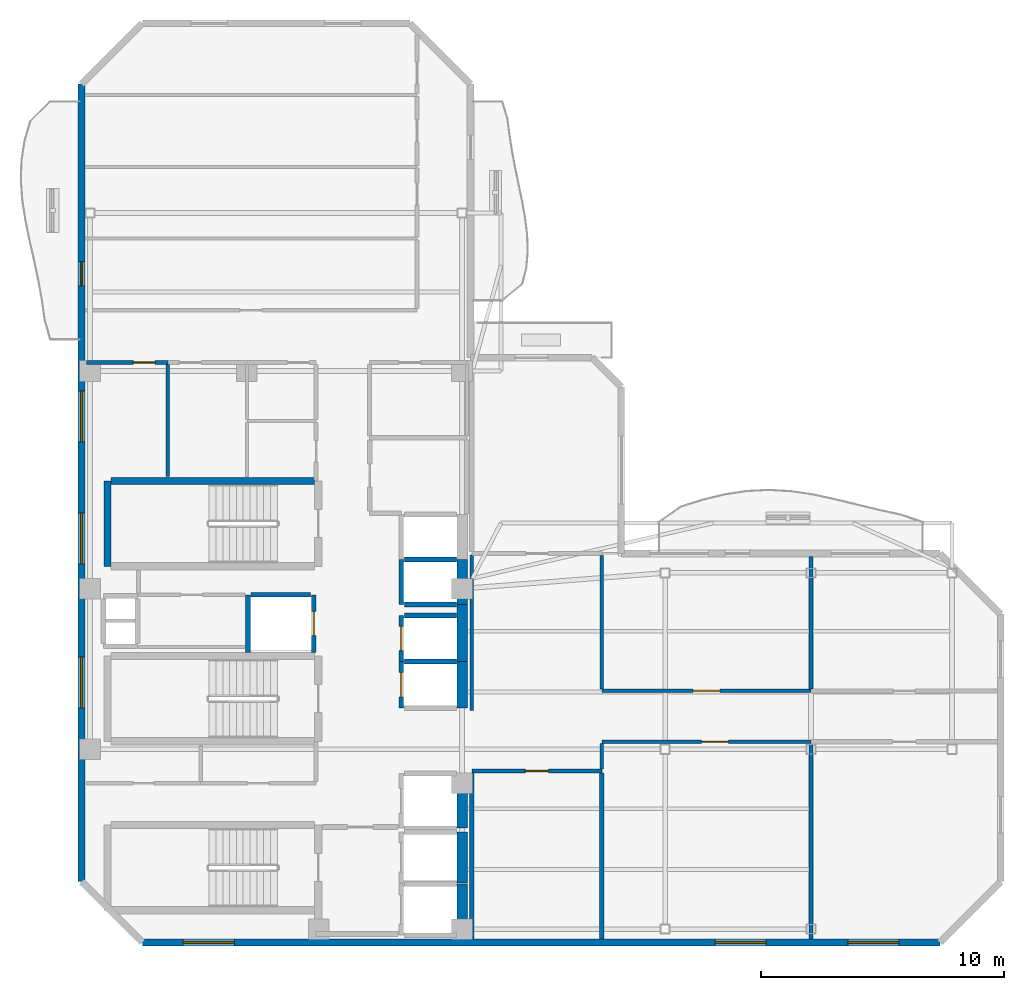
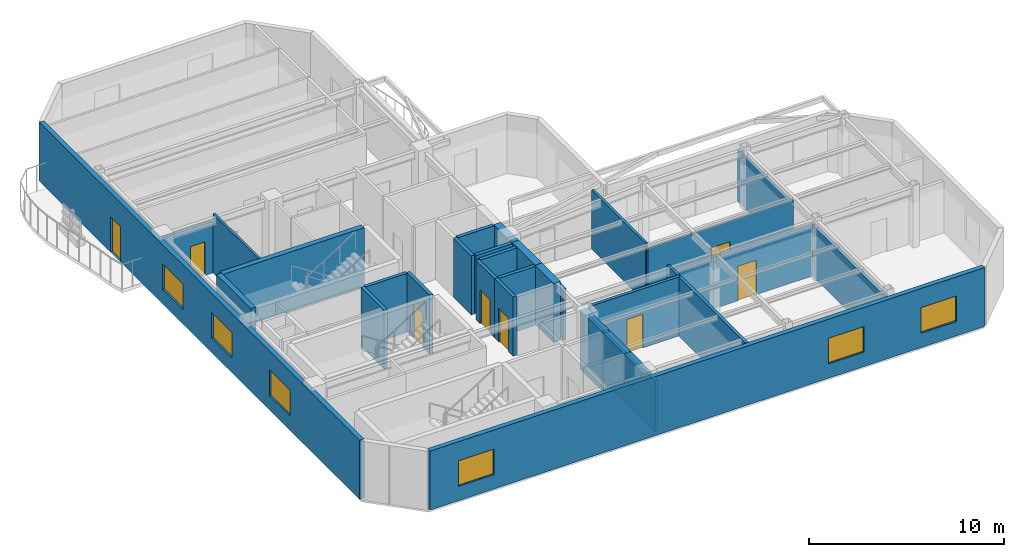
# One storey, part 3 of 8: 32 walls, 8 doors, 6 windows, 14 openings.
"""IFC4 building model written with IfcOpenShell, lengths in metres."""

from ifc_helpers import new_model, si_unit, direction, frame, frame_2d, origin, place, context, subcontext, project, spatial, rectangle, extrude, material, layer, layer_set, type_object, element, fill, save


model = new_model("IFC4")

# Units and contexts
model_context = context("Model", 3, precision=1e-05, world=origin(), true_north=direction((0.0, 1.0)))
body_context = subcontext(model_context, "Body", "Model", "MODEL_VIEW")
ifc_project = project(units=[si_unit("LENGTHUNIT", "METRE"), si_unit("AREAUNIT", "SQUARE_METRE"), si_unit("VOLUMEUNIT", "CUBIC_METRE"), si_unit("PLANEANGLEUNIT", "RADIAN"), si_unit("MASSUNIT", "GRAM", prefix="KILO")], contexts=[model_context])

# Site, building, storey
site_placement = place(None, origin())
site = spatial("IfcSite", under=ifc_project, at=site_placement, CompositionType="ELEMENT")
building_placement = place(site_placement, origin())
building = spatial("IfcBuilding", under=site, at=building_placement, Name="Mawjaban Terraces University", CompositionType="ELEMENT")
storey_placement = place(building_placement, frame((0.0, 0.0, 259.89990234375)))
storey = spatial("IfcBuildingStorey", under=building, at=storey_placement, Name="L63", CompositionType="ELEMENT", Elevation=259.89990234375)

# Wall, opening, door
ifc_material_1 = material(Name="Acoustic masonry blockwork", Category="masonry")
ifc_layer_1 = layer(ifc_material_1, 0.179931640625)
ifc_layer_set_1 = layer_set([ifc_layer_1], Name="Acoustic masonry blockwork")
wall_type_1 = type_object("IfcWallType", Name="AcousticStudioWall_180", PredefinedType="PARTITIONING", material=ifc_layer_set_1)
wall_1_placement = place(storey_placement, frame((38.050048828125, 7.050048828125, 0.0), z_axis=(0.0, 0.0, 1.0), x_axis=(1.0, 0.0, 0.0)))
wall_1 = element("IfcWall", 1, at=wall_1_placement, inside=storey, type_object=wall_type_1, Name="L63 Upper Research Hub Concourse Partition 18", PredefinedType="PARTITIONING", context=body_context, shape_type="SweptSolid", body=[
    extrude(rectangle(XDim=5.349853515625, YDim=0.179931640625, at=frame_2d((2.6748046875, 0.0))), origin(), (0.0, 0.0, 1.0), 3.690185546875),
])
opening_1_placement = place(wall_1_placement, frame((2.199951171875, 0.0, 0.0)))
opening_1 = element("IfcOpeningElement", 2, at=opening_1_placement, cuts=wall_1, Name="Opening ID-095", PredefinedType="OPENING", context=body_context, shape_type="SweptSolid", body=[
    extrude(rectangle(XDim=0.949951171875, YDim=2.10009765625, at=frame_2d((0.47509765625, 1.050048828125))), frame((0.0, 0.099853515625, 0.0), z_axis=(0.0, -1.0, 0.0), x_axis=(1.0, 0.0, 0.0)), (0.0, 0.0, 1.0), 0.199951171875),
])
ifc_material_2 = material(Name="Powder-coated steel frame and solid acoustic timber leaf", Category="steel")
door_type_1 = type_object("IfcDoorType", Name="StudioDoor_950x2100", OperationType="NOTDEFINED", PredefinedType="DOOR", material=ifc_material_2)
door_1_placement = place(opening_1_placement, origin())
door_1 = element("IfcDoor", 3, at=door_1_placement, inside=storey, type_object=door_type_1, Name="L63 Design Studio 1 Door", OperationType="SINGLE_SWING_RIGHT", OverallHeight=2.10009765625, OverallWidth=0.949951171875, PredefinedType="DOOR", context=body_context, shape_type="SweptSolid", body=[
    extrude(rectangle(XDim=0.949951171875, YDim=2.10009765625, at=frame_2d((0.47509765625, 1.050048828125))), frame((0.0, 0.02490234375, 0.0), z_axis=(0.0, -1.0, 0.0), x_axis=(1.0, 0.0, 0.0)), (0.0, 0.0, 1.0), 0.050048828125),
])
fill(opening_1, door_1)

# Walls
wall_2_placement = place(storey_placement, frame((38.050048828125, 6.965087890625, 0.0), z_axis=(0.0, 0.0, 1.0), x_axis=(0.0, -1.0, 0.0)))
element("IfcWall", 4, at=wall_2_placement, inside=storey, type_object=wall_type_1, Name="L63 Design Studio 1 Partition 40", PredefinedType="PARTITIONING", context=body_context, shape_type="SweptSolid", body=[
    extrude(rectangle(XDim=6.83203125, YDim=0.179931640625, at=frame_2d((3.416015625, 0.0))), origin(), (0.0, 0.0, 1.0), 3.22705078125),
])
wall_3_placement = place(storey_placement, frame((43.39990234375, 0.133056640625, 0.0), z_axis=(0.0, 0.0, 1.0), x_axis=(0.0, 1.0, 0.0)))
element("IfcWall", 5, at=wall_3_placement, inside=storey, type_object=wall_type_1, Name="L63 Design Studio 1 Partition 43", PredefinedType="PARTITIONING", context=body_context, shape_type="SweptSolid", body=[
    extrude(rectangle(XDim=6.83203125, YDim=0.179931640625, at=frame_2d((3.416015625, 0.0))), origin(), (0.0, 0.0, 1.0), 3.690185546875),
])
wall_4_placement = place(storey_placement, frame((52.0, 0.133056640625, 0.0), z_axis=(0.0, 0.0, 1.0), x_axis=(0.0, 1.0, 0.0)))
element("IfcWall", 6, at=wall_4_placement, inside=storey, type_object=wall_type_1, Name="L63 Computational Laboratory 2 Partition 46", PredefinedType="PARTITIONING", context=body_context, shape_type="SweptSolid", body=[
    extrude(rectangle(XDim=8.031982421875, YDim=0.179931640625, at=frame_2d((4.01611328125, 0.0))), origin(), (0.0, 0.0, 1.0), 3.22705078125),
])
ifc_material_3 = material(Name="Concrete C50/60", Category="concrete")
ifc_layer_2 = layer(ifc_material_3, 0.419921875)
ifc_layer_set_2 = layer_set([ifc_layer_2], Name="Concrete C50/60")
wall_type_2 = type_object("IfcWallType", Name="CoreShearWall_420", PredefinedType="SHEAR", material=ifc_layer_set_2)
wall_5_placement = place(storey_placement, frame((37.659912109375, 0.300048828125, 0.0), z_axis=(0.0, 0.0, 1.0), x_axis=(0.0, 1.0, 0.0)))
element("IfcWall", 7, at=wall_5_placement, inside=storey, type_object=wall_type_2, Name="L63 Lift FL-1 Hoistway Wall East", PredefinedType="SHEAR", context=body_context, shape_type="SweptSolid", body=[
    extrude(rectangle(XDim=2.099853515625, YDim=0.419921875, at=frame_2d((1.0498046875, 0.0))), origin(), (0.0, 0.0, 1.0), 3.690185546875),
])
wall_6_placement = place(storey_placement, frame((37.659912109375, 2.449951171875, 0.0), z_axis=(0.0, 0.0, 1.0), x_axis=(0.0, 1.0, 0.0)))
element("IfcWall", 8, at=wall_6_placement, inside=storey, type_object=wall_type_2, Name="L63 Lift FL-2 Hoistway Wall East", PredefinedType="SHEAR", context=body_context, shape_type="SweptSolid", body=[
    extrude(rectangle(XDim=2.10009765625, YDim=0.419921875, at=frame_2d((1.050048828125, 0.0))), origin(), (0.0, 0.0, 1.0), 3.690185546875),
])
wall_7_placement = place(storey_placement, frame((37.659912109375, 4.699951171875, 0.0), z_axis=(0.0, 0.0, 1.0), x_axis=(0.0, 1.0, 0.0)))
element("IfcWall", 9, at=wall_7_placement, inside=storey, type_object=wall_type_2, Name="L63 Lift SL-1 Hoistway Wall East", PredefinedType="SHEAR", context=body_context, shape_type="SweptSolid", body=[
    extrude(rectangle(XDim=2.25, YDim=0.419921875, at=frame_2d((1.125, 0.0))), origin(), (0.0, 0.0, 1.0), 3.690185546875),
])
wall_8_placement = place(storey_placement, frame((37.659912109375, 9.64990234375, 0.0), z_axis=(0.0, 0.0, 1.0), x_axis=(0.0, 1.0, 0.0)))
element("IfcWall", 10, at=wall_8_placement, inside=storey, type_object=wall_type_2, Name="L63 Lift PL-H1 Hoistway Wall East", PredefinedType="SHEAR", context=body_context, shape_type="SweptSolid", body=[
    extrude(rectangle(XDim=1.900146484375, YDim=0.419921875, at=frame_2d((0.9501953125, 0.0))), origin(), (0.0, 0.0, 1.0), 3.690185546875),
])
wall_9_placement = place(storey_placement, frame((37.659912109375, 11.550048828125, 0.0), z_axis=(0.0, 0.0, 1.0), x_axis=(0.0, 1.0, 0.0)))
element("IfcWall", 11, at=wall_9_placement, inside=storey, type_object=wall_type_2, Name="L63 Lift PL-H2 Hoistway Wall East", PredefinedType="SHEAR", context=body_context, shape_type="SweptSolid", body=[
    extrude(rectangle(XDim=2.349853515625, YDim=0.419921875, at=frame_2d((1.1748046875, 0.0))), origin(), (0.0, 0.0, 1.0), 3.690185546875),
])
wall_10_placement = place(storey_placement, frame((37.659912109375, 13.89990234375, 0.0), z_axis=(0.0, 0.0, 1.0), x_axis=(0.0, 1.0, 0.0)))
element("IfcWall", 12, at=wall_10_placement, inside=storey, type_object=wall_type_2, Name="L63 Lift OL-1 Hoistway Wall East", PredefinedType="SHEAR", context=body_context, shape_type="SweptSolid", body=[
    extrude(rectangle(XDim=1.85009765625, YDim=0.419921875, at=frame_2d((0.925048828125, 0.0))), origin(), (0.0, 0.0, 1.0), 3.690185546875),
])

# Wall, opening, door
ifc_material_4 = material(Name="Fire-rated gypsum board on steel stud", Category="steel")
ifc_layer_3 = layer(ifc_material_4, 0.159912109375)
ifc_layer_set_3 = layer_set([ifc_layer_3], Name="Fire-rated gypsum board on steel stud")
wall_type_3 = type_object("IfcWallType", Name="CorridorPartition_160", PredefinedType="PARTITIONING", material=ifc_layer_set_3)
wall_11_placement = place(storey_placement, frame((25.550048828125, 23.85009765625, 0.0), z_axis=(0.0, 0.0, 1.0), x_axis=(-1.0, 0.0, 0.0)))
wall_11 = element("IfcWall", 13, at=wall_11_placement, inside=storey, type_object=wall_type_3, Name="L63 Female Toilet Partition 3", PredefinedType="PARTITIONING", context=body_context, shape_type="SweptSolid", body=[
    extrude(rectangle(XDim=3.35009765625, YDim=0.159912109375, at=frame_2d((1.675048828125, 0.0))), origin(), (0.0, 0.0, 1.0), 3.22705078125),
])
opening_2_placement = place(wall_11_placement, frame((0.534912109375, 0.0, 0.0)))
opening_2 = element("IfcOpeningElement", 14, at=opening_2_placement, cuts=wall_11, Name="Opening ID-088", PredefinedType="OPENING", context=body_context, shape_type="SweptSolid", body=[
    extrude(rectangle(XDim=0.8798828125, YDim=2.10009765625, at=frame_2d((0.43994140625, 1.050048828125))), frame((0.0, 0.08984375, 0.0), z_axis=(0.0, -1.0, 0.0), x_axis=(1.0, 0.0, 0.0)), (0.0, 0.0, 1.0), 0.179931640625),
])
door_type_2 = type_object("IfcDoorType", Name="ToiletDoor_880x2100", OperationType="NOTDEFINED", PredefinedType="DOOR", material=ifc_material_2)
door_2_placement = place(opening_2_placement, origin())
door_2 = element("IfcDoor", 15, at=door_2_placement, inside=storey, type_object=door_type_2, Name="L63 Female Toilet Door", OperationType="SINGLE_SWING_RIGHT", OverallHeight=2.10009765625, OverallWidth=0.8798828125, PredefinedType="DOOR", context=body_context, shape_type="SweptSolid", body=[
    extrude(rectangle(XDim=0.8798828125, YDim=2.10009765625, at=frame_2d((0.43994140625, 1.050048828125))), frame((0.0, 0.02490234375, 0.0), z_axis=(0.0, -1.0, 0.0), x_axis=(1.0, 0.0, 0.0)), (0.0, 0.0, 1.0), 0.050048828125),
])
fill(opening_2, door_2)

# Wall
wall_12_placement = place(storey_placement, frame((38.050048828125, 15.925048828125, 0.0), z_axis=(0.0, 0.0, 1.0), x_axis=(0.0, -1.0, 0.0)))
element("IfcWall", 16, at=wall_12_placement, inside=storey, type_object=wall_type_3, Name="L63 Upper Research Hub Concourse Partition 41", PredefinedType="PARTITIONING", context=body_context, shape_type="SweptSolid", body=[
    extrude(rectangle(XDim=6.375, YDim=0.159912109375, at=frame_2d((3.1875, 0.0))), origin(), (0.0, 0.0, 1.0), 3.22705078125),
])

# Wall, openings, windows
ifc_material_5 = material(Name="Insulated terracotta rainscreen on concrete backup C40/50", Category="masonry")
ifc_layer_4 = layer(ifc_material_5, 0.27490234375)
ifc_layer_set_4 = layer_set([ifc_layer_4], Name="Insulated terracotta rainscreen on concrete backup C40/50")
wall_type_4 = type_object("IfcWallType", Name="ExtTerracottaWall_275", PredefinedType="SOLIDWALL", material=ifc_layer_set_4)
wall_13_placement = place(storey_placement, frame((24.5, 0.0, 0.0), z_axis=(0.0, 0.0, 1.0), x_axis=(1.0, 0.0, 0.0)))
wall_13 = element("IfcWall", 17, at=wall_13_placement, inside=storey, type_object=wall_type_4, Name="L63 Exterior Terracotta Wall 1", PredefinedType="SOLIDWALL", context=body_context, shape_type="SweptSolid", body=[
    extrude(rectangle(XDim=32.800048828125, YDim=0.27490234375, at=frame_2d((16.39990234375, 0.0))), origin(), (0.0, 0.0, 1.0), 3.690185546875),
])
opening_3_placement = place(wall_13_placement, frame((1.68310546875, 0.0, 0.89990234375)))
opening_3 = element("IfcOpeningElement", 18, at=opening_3_placement, cuts=wall_13, Name="Opening W-04", PredefinedType="OPENING", context=body_context, shape_type="SweptSolid", body=[
    extrude(rectangle(XDim=2.10009765625, YDim=1.60009765625, at=frame_2d((1.050048828125, 0.800048828125))), frame((0.0, 0.1474609375, 0.0), z_axis=(0.0, -1.0, 0.0), x_axis=(1.0, 0.0, 0.0)), (0.0, 0.0, 1.0), 0.294921875),
])
opening_4_placement = place(wall_13_placement, frame((23.550048828125, 0.0, 0.89990234375)))
opening_4 = element("IfcOpeningElement", 19, at=opening_4_placement, cuts=wall_13, Name="Opening W-04", PredefinedType="OPENING", context=body_context, shape_type="SweptSolid", body=[
    extrude(rectangle(XDim=2.10009765625, YDim=1.60009765625, at=frame_2d((1.050048828125, 0.800048828125))), frame((0.0, 0.1474609375, 0.0), z_axis=(0.0, -1.0, 0.0), x_axis=(1.0, 0.0, 0.0)), (0.0, 0.0, 1.0), 0.294921875),
])
opening_5_placement = place(wall_13_placement, frame((29.01708984375, 0.0, 0.89990234375)))
opening_5 = element("IfcOpeningElement", 20, at=opening_5_placement, cuts=wall_13, Name="Opening W-04", PredefinedType="OPENING", context=body_context, shape_type="SweptSolid", body=[
    extrude(rectangle(XDim=2.10009765625, YDim=1.60009765625, at=frame_2d((1.050048828125, 0.800048828125))), frame((0.0, 0.1474609375, 0.0), z_axis=(0.0, -1.0, 0.0), x_axis=(1.0, 0.0, 0.0)), (0.0, 0.0, 1.0), 0.294921875),
])
ifc_material_6 = material(Name="Low-E solar-control double glazing in thermally broken aluminium frame", Category="aluminium")
window_type = type_object("IfcWindowType", Name="Win_2100x1600", PartitioningType="SINGLE_PANEL", PredefinedType="WINDOW", material=ifc_material_6)
window_1_placement = place(opening_3_placement, origin())
window_1 = element("IfcWindow", 21, at=window_1_placement, inside=storey, type_object=window_type, Name="L63 Facade Window 1.1", OverallHeight=1.60009765625, OverallWidth=2.10009765625, PartitioningType="SINGLE_PANEL", PredefinedType="WINDOW", context=body_context, shape_type="SweptSolid", body=[
    extrude(rectangle(XDim=2.10009765625, YDim=1.60009765625, at=frame_2d((1.050048828125, 0.800048828125))), frame((0.0, 0.030029296875, 0.0), z_axis=(0.0, -1.0, 0.0), x_axis=(1.0, 0.0, 0.0)), (0.0, 0.0, 1.0), 0.06005859375),
])
fill(opening_3, window_1)
window_2_placement = place(opening_4_placement, origin())
window_2 = element("IfcWindow", 22, at=window_2_placement, inside=storey, type_object=window_type, Name="L63 Facade Window 1.5", OverallHeight=1.60009765625, OverallWidth=2.10009765625, PartitioningType="SINGLE_PANEL", PredefinedType="WINDOW", context=body_context, shape_type="SweptSolid", body=[
    extrude(rectangle(XDim=2.10009765625, YDim=1.60009765625, at=frame_2d((1.050048828125, 0.800048828125))), frame((0.0, 0.030029296875, 0.0), z_axis=(0.0, -1.0, 0.0), x_axis=(1.0, 0.0, 0.0)), (0.0, 0.0, 1.0), 0.06005859375),
])
fill(opening_4, window_2)
window_3_placement = place(opening_5_placement, origin())
window_3 = element("IfcWindow", 23, at=window_3_placement, inside=storey, type_object=window_type, Name="L63 Facade Window 1.6", OverallHeight=1.60009765625, OverallWidth=2.10009765625, PartitioningType="SINGLE_PANEL", PredefinedType="WINDOW", context=body_context, shape_type="SweptSolid", body=[
    extrude(rectangle(XDim=2.10009765625, YDim=1.60009765625, at=frame_2d((1.050048828125, 0.800048828125))), frame((0.0, 0.030029296875, 0.0), z_axis=(0.0, -1.0, 0.0), x_axis=(1.0, 0.0, 0.0)), (0.0, 0.0, 1.0), 0.06005859375),
])
fill(opening_5, window_3)

# Wall, openings, door, windows
wall_14_placement = place(storey_placement, frame((22.0, 35.300048828125, 0.0), z_axis=(0.0, 0.0, 1.0), x_axis=(0.0, -1.0, 0.0)))
wall_14 = element("IfcWall", 24, at=wall_14_placement, inside=storey, type_object=wall_type_4, Name="L63 Exterior Terracotta Wall 13", PredefinedType="SOLIDWALL", context=body_context, shape_type="SweptSolid", body=[
    extrude(rectangle(XDim=32.800048828125, YDim=0.27490234375, at=frame_2d((16.39990234375, 0.0))), origin(), (0.0, 0.0, 1.0), 3.690185546875),
])
opening_6_placement = place(wall_14_placement, frame((7.300048828125, 0.0, 0.0)))
opening_6 = element("IfcOpeningElement", 25, at=opening_6_placement, cuts=wall_14, Name="Opening BD-100", PredefinedType="OPENING", context=body_context, shape_type="SweptSolid", body=[
    extrude(rectangle(XDim=1.0, YDim=2.199951171875, at=frame_2d((0.5, 1.10009765625))), frame((0.0, 0.1474609375, 0.0), z_axis=(0.0, -1.0, 0.0), x_axis=(1.0, 0.0, 0.0)), (0.0, 0.0, 1.0), 0.294921875),
])
opening_7_placement = place(wall_14_placement, frame((12.616943359375, 0.0, 0.89990234375)))
opening_7 = element("IfcOpeningElement", 26, at=opening_7_placement, cuts=wall_14, Name="Opening W-04", PredefinedType="OPENING", context=body_context, shape_type="SweptSolid", body=[
    extrude(rectangle(XDim=2.10009765625, YDim=1.60009765625, at=frame_2d((1.050048828125, 0.800048828125))), frame((0.0, 0.1474609375, 0.0), z_axis=(0.0, -1.0, 0.0), x_axis=(1.0, 0.0, 0.0)), (0.0, 0.0, 1.0), 0.294921875),
])
opening_8_placement = place(wall_14_placement, frame((17.633056640625, 0.0, 0.89990234375)))
opening_8 = element("IfcOpeningElement", 27, at=opening_8_placement, cuts=wall_14, Name="Opening W-04", PredefinedType="OPENING", context=body_context, shape_type="SweptSolid", body=[
    extrude(rectangle(XDim=2.10009765625, YDim=1.60009765625, at=frame_2d((1.050048828125, 0.800048828125))), frame((0.0, 0.1474609375, 0.0), z_axis=(0.0, -1.0, 0.0), x_axis=(1.0, 0.0, 0.0)), (0.0, 0.0, 1.0), 0.294921875),
])
opening_9_placement = place(wall_14_placement, frame((23.550048828125, 0.0, 0.89990234375)))
opening_9 = element("IfcOpeningElement", 28, at=opening_9_placement, cuts=wall_14, Name="Opening W-04", PredefinedType="OPENING", context=body_context, shape_type="SweptSolid", body=[
    extrude(rectangle(XDim=2.10009765625, YDim=1.60009765625, at=frame_2d((1.050048828125, 0.800048828125))), frame((0.0, 0.1474609375, 0.0), z_axis=(0.0, -1.0, 0.0), x_axis=(1.0, 0.0, 0.0)), (0.0, 0.0, 1.0), 0.294921875),
])
ifc_material_7 = material(Name="Thermally broken anodised aluminium and laminated safety glass", Category="aluminium")
door_type_3 = type_object("IfcDoorType", Name="BalconyGlazedDoor_1000x2200", OperationType="NOTDEFINED", PredefinedType="DOOR", material=ifc_material_7)
door_3_placement = place(opening_6_placement, origin())
door_3 = element("IfcDoor", 29, at=door_3_placement, inside=storey, type_object=door_type_3, Name="L63 Balcony Access Door west", OperationType="SINGLE_SWING_RIGHT", OverallHeight=2.199951171875, OverallWidth=1.0, PredefinedType="DOOR", context=body_context, shape_type="SweptSolid", body=[
    extrude(rectangle(XDim=1.0, YDim=2.199951171875, at=frame_2d((0.5, 1.10009765625))), frame((0.0, 0.02490234375, 0.0), z_axis=(0.0, -1.0, 0.0), x_axis=(1.0, 0.0, 0.0)), (0.0, 0.0, 1.0), 0.050048828125),
])
fill(opening_6, door_3)
window_4_placement = place(opening_7_placement, origin())
window_4 = element("IfcWindow", 30, at=window_4_placement, inside=storey, type_object=window_type, Name="L63 Facade Window 13.3", OverallHeight=1.60009765625, OverallWidth=2.10009765625, PartitioningType="SINGLE_PANEL", PredefinedType="WINDOW", context=body_context, shape_type="SweptSolid", body=[
    extrude(rectangle(XDim=2.10009765625, YDim=1.60009765625, at=frame_2d((1.050048828125, 0.800048828125))), frame((0.0, 0.030029296875, 0.0), z_axis=(0.0, -1.0, 0.0), x_axis=(1.0, 0.0, 0.0)), (0.0, 0.0, 1.0), 0.06005859375),
])
fill(opening_7, window_4)
window_5_placement = place(opening_8_placement, origin())
window_5 = element("IfcWindow", 31, at=window_5_placement, inside=storey, type_object=window_type, Name="L63 Facade Window 13.4", OverallHeight=1.60009765625, OverallWidth=2.10009765625, PartitioningType="SINGLE_PANEL", PredefinedType="WINDOW", context=body_context, shape_type="SweptSolid", body=[
    extrude(rectangle(XDim=2.10009765625, YDim=1.60009765625, at=frame_2d((1.050048828125, 0.800048828125))), frame((0.0, 0.030029296875, 0.0), z_axis=(0.0, -1.0, 0.0), x_axis=(1.0, 0.0, 0.0)), (0.0, 0.0, 1.0), 0.06005859375),
])
fill(opening_8, window_5)
window_6_placement = place(opening_9_placement, origin())
window_6 = element("IfcWindow", 32, at=window_6_placement, inside=storey, type_object=window_type, Name="L63 Facade Window 13.5", OverallHeight=1.60009765625, OverallWidth=2.10009765625, PartitioningType="SINGLE_PANEL", PredefinedType="WINDOW", context=body_context, shape_type="SweptSolid", body=[
    extrude(rectangle(XDim=2.10009765625, YDim=1.60009765625, at=frame_2d((1.050048828125, 0.800048828125))), frame((0.0, 0.030029296875, 0.0), z_axis=(0.0, -1.0, 0.0), x_axis=(1.0, 0.0, 0.0)), (0.0, 0.0, 1.0), 0.06005859375),
])
fill(opening_9, window_6)

# Wall, opening, door
ifc_material_8 = material(Name="Concrete C40/50", Category="concrete")
ifc_layer_5 = layer(ifc_material_8, 0.199951171875)
ifc_layer_set_5 = layer_set([ifc_layer_5], Name="Concrete C40/50")
wall_type_5 = type_object("IfcWallType", Name="FireLobbyWall_200", PredefinedType="SOLIDWALL", material=ifc_layer_set_5)
wall_15_placement = place(storey_placement, frame((35.14990234375, 11.550048828125, 0.0), z_axis=(0.0, 0.0, 1.0), x_axis=(0.0, -1.0, 0.0)))
wall_15 = element("IfcWall", 33, at=wall_15_placement, inside=storey, type_object=wall_type_5, Name="L63 Lift PL-H1 Hoistway Wall West", PredefinedType="SOLIDWALL", context=body_context, shape_type="SweptSolid", body=[
    extrude(rectangle(XDim=1.900146484375, YDim=0.199951171875, at=frame_2d((0.9501953125, 0.0))), origin(), (0.0, 0.0, 1.0), 3.690185546875),
])
opening_10_placement = place(wall_15_placement, frame((0.449951171875, 0.0, 0.0)))
opening_10 = element("IfcOpeningElement", 34, at=opening_10_placement, cuts=wall_15, Name="Opening LD-PL-H1", PredefinedType="OPENING", context=body_context, shape_type="SweptSolid", body=[
    extrude(rectangle(XDim=1.0, YDim=2.10009765625, at=frame_2d((0.5, 1.050048828125))), frame((0.0, 0.10986328125, 0.0), z_axis=(0.0, -1.0, 0.0), x_axis=(1.0, 0.0, 0.0)), (0.0, 0.0, 1.0), 0.219970703125),
])
ifc_material_9 = material(Name="Powder-coated steel frame and fire-rated steel-faced leaf", Category="steel")
door_type_4 = type_object("IfcDoorType", Name="LiftLandingSliding_1000x2100", OperationType="NOTDEFINED", PredefinedType="DOOR", material=ifc_material_9)
door_4_placement = place(opening_10_placement, origin())
door_4 = element("IfcDoor", 35, at=door_4_placement, inside=storey, type_object=door_type_4, Name="L63 Lift PL-H1 Sliding Landing Door", OperationType="DOUBLE_DOOR_SLIDING", OverallHeight=2.10009765625, OverallWidth=1.0, PredefinedType="DOOR", context=body_context, shape_type="SweptSolid", body=[
    extrude(rectangle(XDim=1.0, YDim=2.10009765625, at=frame_2d((0.5, 1.050048828125))), frame((0.0, 0.02490234375, 0.0), z_axis=(0.0, -1.0, 0.0), x_axis=(1.0, 0.0, 0.0)), (0.0, 0.0, 1.0), 0.050048828125),
])
fill(opening_10, door_4)

# Wall
wall_16_placement = place(storey_placement, frame((37.419921875, 11.550048828125, 0.0), z_axis=(0.0, 0.0, 1.0), x_axis=(-1.0, 0.0, 0.0)))
element("IfcWall", 36, at=wall_16_placement, inside=storey, type_object=wall_type_5, Name="L63 Lift PL-H1 Hoistway Wall North", PredefinedType="SOLIDWALL", context=body_context, shape_type="SweptSolid", body=[
    extrude(rectangle(XDim=2.139892578125, YDim=0.199951171875, at=frame_2d((1.06982421875, 0.0))), origin(), (0.0, 0.0, 1.0), 3.690185546875),
])

# Wall, opening, door
wall_17_placement = place(storey_placement, frame((35.14990234375, 13.449951171875, 0.0), z_axis=(0.0, 0.0, 1.0), x_axis=(0.0, -1.0, 0.0)))
wall_17 = element("IfcWall", 37, at=wall_17_placement, inside=storey, type_object=wall_type_5, Name="L63 Lift PL-H2 Hoistway Wall West", PredefinedType="SOLIDWALL", context=body_context, shape_type="SweptSolid", body=[
    extrude(rectangle(XDim=1.89990234375, YDim=0.199951171875, at=frame_2d((0.949951171875, 0.0))), origin(), (0.0, 0.0, 1.0), 3.690185546875),
])
opening_11_placement = place(wall_17_placement, frame((0.449951171875, 0.0, 0.0)))
opening_11 = element("IfcOpeningElement", 38, at=opening_11_placement, cuts=wall_17, Name="Opening LD-PL-H2", PredefinedType="OPENING", context=body_context, shape_type="SweptSolid", body=[
    extrude(rectangle(XDim=1.0, YDim=2.10009765625, at=frame_2d((0.5, 1.050048828125))), frame((0.0, 0.10986328125, 0.0), z_axis=(0.0, -1.0, 0.0), x_axis=(1.0, 0.0, 0.0)), (0.0, 0.0, 1.0), 0.219970703125),
])
door_5_placement = place(opening_11_placement, origin())
door_5 = element("IfcDoor", 39, at=door_5_placement, inside=storey, type_object=door_type_4, Name="L63 Lift PL-H2 Sliding Landing Door", OperationType="DOUBLE_DOOR_SLIDING", OverallHeight=2.10009765625, OverallWidth=1.0, PredefinedType="DOOR", context=body_context, shape_type="SweptSolid", body=[
    extrude(rectangle(XDim=1.0, YDim=2.10009765625, at=frame_2d((0.5, 1.050048828125))), frame((0.0, 0.02490234375, 0.0), z_axis=(0.0, -1.0, 0.0), x_axis=(1.0, 0.0, 0.0)), (0.0, 0.0, 1.0), 0.050048828125),
])
fill(opening_11, door_5)

# Walls
wall_18_placement = place(storey_placement, frame((37.419921875, 13.449951171875, 0.0), z_axis=(0.0, 0.0, 1.0), x_axis=(-1.0, 0.0, 0.0)))
element("IfcWall", 40, at=wall_18_placement, inside=storey, type_object=wall_type_5, Name="L63 Lift PL-H2 Hoistway Wall North", PredefinedType="SOLIDWALL", context=body_context, shape_type="SweptSolid", body=[
    extrude(rectangle(XDim=2.139892578125, YDim=0.199951171875, at=frame_2d((1.06982421875, 0.0))), origin(), (0.0, 0.0, 1.0), 3.690185546875),
])
wall_19_placement = place(storey_placement, frame((28.85009765625, 14.300048828125, 0.0), z_axis=(0.0, 0.0, 1.0), x_axis=(0.0, -1.0, 0.0)))
element("IfcWall", 41, at=wall_19_placement, inside=storey, type_object=wall_type_5, Name="L63 Lift PL-H3 Hoistway Wall West", PredefinedType="SOLIDWALL", context=body_context, shape_type="SweptSolid", body=[
    extrude(rectangle(XDim=2.3701171875, YDim=0.199951171875, at=frame_2d((1.18505859375, 0.0))), origin(), (0.0, 0.0, 1.0), 3.690185546875),
])

# Wall, opening, door
wall_20_placement = place(storey_placement, frame((31.550048828125, 11.929931640625, 0.0), z_axis=(0.0, 0.0, 1.0), x_axis=(0.0, 1.0, 0.0)))
wall_20 = element("IfcWall", 42, at=wall_20_placement, inside=storey, type_object=wall_type_5, Name="L63 Lift PL-H3 Hoistway Wall East", PredefinedType="SOLIDWALL", context=body_context, shape_type="SweptSolid", body=[
    extrude(rectangle(XDim=2.3701171875, YDim=0.199951171875, at=frame_2d((1.18505859375, 0.0))), origin(), (0.0, 0.0, 1.0), 3.690185546875),
])
opening_12_placement = place(wall_20_placement, frame((0.68505859375, 0.0, 0.0)))
opening_12 = element("IfcOpeningElement", 43, at=opening_12_placement, cuts=wall_20, Name="Opening LD-PL-H3", PredefinedType="OPENING", context=body_context, shape_type="SweptSolid", body=[
    extrude(rectangle(XDim=1.0, YDim=2.10009765625, at=frame_2d((0.5, 1.050048828125))), frame((0.0, 0.10986328125, 0.0), z_axis=(0.0, -1.0, 0.0), x_axis=(1.0, 0.0, 0.0)), (0.0, 0.0, 1.0), 0.219970703125),
])
door_6_placement = place(opening_12_placement, origin())
door_6 = element("IfcDoor", 44, at=door_6_placement, inside=storey, type_object=door_type_4, Name="L63 Lift PL-H3 Sliding Landing Door", OperationType="DOUBLE_DOOR_SLIDING", OverallHeight=2.10009765625, OverallWidth=1.0, PredefinedType="DOOR", context=body_context, shape_type="SweptSolid", body=[
    extrude(rectangle(XDim=1.0, YDim=2.10009765625, at=frame_2d((0.5, 1.050048828125))), frame((0.0, 0.02490234375, 0.0), z_axis=(0.0, -1.0, 0.0), x_axis=(1.0, 0.0, 0.0)), (0.0, 0.0, 1.0), 0.050048828125),
])
fill(opening_12, door_6)

# Walls
wall_21_placement = place(storey_placement, frame((31.419921875, 14.300048828125, 0.0), z_axis=(0.0, 0.0, 1.0), x_axis=(-1.0, 0.0, 0.0)))
element("IfcWall", 45, at=wall_21_placement, inside=storey, type_object=wall_type_5, Name="L63 Lift PL-H3 Hoistway Wall North", PredefinedType="SOLIDWALL", context=body_context, shape_type="SweptSolid", body=[
    extrude(rectangle(XDim=2.43994140625, YDim=0.199951171875, at=frame_2d((1.219970703125, 0.0))), origin(), (0.0, 0.0, 1.0), 3.690185546875),
])
wall_22_placement = place(storey_placement, frame((35.14990234375, 15.75, 0.0), z_axis=(0.0, 0.0, 1.0), x_axis=(0.0, -1.0, 0.0)))
element("IfcWall", 46, at=wall_22_placement, inside=storey, type_object=wall_type_5, Name="L63 Lift OL-1 Hoistway Wall West", PredefinedType="SOLIDWALL", context=body_context, shape_type="SweptSolid", body=[
    extrude(rectangle(XDim=1.85009765625, YDim=0.199951171875, at=frame_2d((0.925048828125, 0.0))), origin(), (0.0, 0.0, 1.0), 3.690185546875),
])
for number, where, z_axis, x_axis, name in (
    (47, (35.280029296875, 13.89990234375, 0.0), (0.0, 0.0, 1.0), (1.0, 0.0, 0.0), "L63 Lift OL-1 Hoistway Wall South"),
    (48, (37.419921875, 15.75, 0.0), (0.0, 0.0, 1.0), (-1.0, 0.0, 0.0), "L63 Lift OL-1 Hoistway Wall North"),
):
    element("IfcWall", number, at=place(storey_placement, frame(where, z_axis=z_axis, x_axis=x_axis)), inside=storey, type_object=wall_type_5, Name=name, PredefinedType="SOLIDWALL", context=body_context, shape_type="SweptSolid", body=[
        extrude(rectangle(XDim=2.139892578125, YDim=0.199951171875, at=frame_2d((1.06982421875, 0.0))), origin(), (0.0, 0.0, 1.0), 3.690185546875),
    ])

# Wall, opening, door
ifc_material_10 = material(Name="Moisture-resistant gypsum board on steel stud", Category="steel")
ifc_layer_6 = layer(ifc_material_10, 0.14501953125)
ifc_layer_set_6 = layer_set([ifc_layer_6], Name="Moisture-resistant gypsum board on steel stud")
wall_type_6 = type_object("IfcWallType", Name="LabPartition_145", PredefinedType="PARTITIONING", material=ifc_layer_set_6)
wall_23_placement = place(storey_placement, frame((43.39990234375, 8.25, 0.0), z_axis=(0.0, 0.0, 1.0), x_axis=(1.0, 0.0, 0.0)))
wall_23 = element("IfcWall", 49, at=wall_23_placement, inside=storey, type_object=wall_type_6, Name="L63 Upper East Research Corridor Partition 19", PredefinedType="PARTITIONING", context=body_context, shape_type="SweptSolid", body=[
    extrude(rectangle(XDim=8.60009765625, YDim=0.14501953125, at=frame_2d((4.300048828125, 0.0))), origin(), (0.0, 0.0, 1.0), 3.22705078125),
])
opening_13_placement = place(wall_23_placement, frame((4.10009765625, 0.0, 0.0)))
opening_13 = element("IfcOpeningElement", 50, at=opening_13_placement, cuts=wall_23, Name="Opening ID-110", PredefinedType="OPENING", context=body_context, shape_type="SweptSolid", body=[
    extrude(rectangle(XDim=1.10009765625, YDim=2.14990234375, at=frame_2d((0.550048828125, 1.074951171875))), frame((0.0, 0.08251953125, 0.0), z_axis=(0.0, -1.0, 0.0), x_axis=(1.0, 0.0, 0.0)), (0.0, 0.0, 1.0), 0.1650390625),
])
door_type_5 = type_object("IfcDoorType", Name="LabDoor_1100x2150", OperationType="NOTDEFINED", PredefinedType="DOOR", material=ifc_material_2)
door_7_placement = place(opening_13_placement, origin())
door_7 = element("IfcDoor", 51, at=door_7_placement, inside=storey, type_object=door_type_5, Name="L63 Computational Laboratory 2 Door", OperationType="SINGLE_SWING_LEFT", OverallHeight=2.14990234375, OverallWidth=1.10009765625, PredefinedType="DOOR", context=body_context, shape_type="SweptSolid", body=[
    extrude(rectangle(XDim=1.10009765625, YDim=2.14990234375, at=frame_2d((0.550048828125, 1.074951171875))), frame((0.0, 0.02490234375, 0.0), z_axis=(0.0, -1.0, 0.0), x_axis=(1.0, 0.0, 0.0)), (0.0, 0.0, 1.0), 0.050048828125),
])
fill(opening_13, door_7)

wall_24_placement = place(storey_placement, frame((52.0, 10.35009765625, 0.0), z_axis=(0.0, 0.0, 1.0), x_axis=(-1.0, 0.0, 0.0)))
wall_24 = element("IfcWall", 52, at=wall_24_placement, inside=storey, type_object=wall_type_6, Name="L63 Upper East Research Corridor Partition 22", PredefinedType="PARTITIONING", context=body_context, shape_type="SweptSolid", body=[
    extrude(rectangle(XDim=8.60009765625, YDim=0.14501953125, at=frame_2d((4.300048828125, 0.0))), origin(), (0.0, 0.0, 1.0), 3.424072265625),
])
opening_14_placement = place(wall_24_placement, frame((3.75, 0.0, 0.0)))
opening_14 = element("IfcOpeningElement", 53, at=opening_14_placement, cuts=wall_24, Name="Opening ID-110", PredefinedType="OPENING", context=body_context, shape_type="SweptSolid", body=[
    extrude(rectangle(XDim=1.10009765625, YDim=2.14990234375, at=frame_2d((0.550048828125, 1.074951171875))), frame((0.0, 0.08251953125, 0.0), z_axis=(0.0, -1.0, 0.0), x_axis=(1.0, 0.0, 0.0)), (0.0, 0.0, 1.0), 0.1650390625),
])
door_8_placement = place(opening_14_placement, origin())
door_8 = element("IfcDoor", 54, at=door_8_placement, inside=storey, type_object=door_type_5, Name="L63 Teaching Laboratory 3 Door", OperationType="SINGLE_SWING_RIGHT", OverallHeight=2.14990234375, OverallWidth=1.10009765625, PredefinedType="DOOR", context=body_context, shape_type="SweptSolid", body=[
    extrude(rectangle(XDim=1.10009765625, YDim=2.14990234375, at=frame_2d((0.550048828125, 1.074951171875))), frame((0.0, 0.02490234375, 0.0), z_axis=(0.0, -1.0, 0.0), x_axis=(1.0, 0.0, 0.0)), (0.0, 0.0, 1.0), 0.050048828125),
])
fill(opening_14, door_8)

# Walls
wall_25_placement = place(storey_placement, frame((43.39990234375, 7.135009765625, 0.0), z_axis=(0.0, 0.0, 1.0), x_axis=(0.0, 1.0, 0.0)))
element("IfcWall", 55, at=wall_25_placement, inside=storey, type_object=wall_type_6, Name="L63 Upper Research Hub Concourse Partition 44", PredefinedType="PARTITIONING", context=body_context, shape_type="SweptSolid", body=[
    extrude(rectangle(XDim=1.046875, YDim=0.14501953125, at=frame_2d((0.5234375, 0.0))), origin(), (0.0, 0.0, 1.0), 3.690185546875),
])
wall_26_placement = place(storey_placement, frame((43.39990234375, 10.41796875, 0.0), z_axis=(0.0, 0.0, 1.0), x_axis=(0.0, 1.0, 0.0)))
element("IfcWall", 56, at=wall_26_placement, inside=storey, type_object=wall_type_6, Name="L63 Upper Research Hub Concourse Partition 45", PredefinedType="PARTITIONING", context=body_context, shape_type="SweptSolid", body=[
    extrude(rectangle(XDim=5.507080078125, YDim=0.14501953125, at=frame_2d((2.75341796875, 0.0))), origin(), (0.0, 0.0, 1.0), 3.690185546875),
])
wall_27_placement = place(storey_placement, frame((52.0, 10.425048828125, 0.0), z_axis=(0.0, 0.0, 1.0), x_axis=(0.0, 1.0, 0.0)))
element("IfcWall", 57, at=wall_27_placement, inside=storey, type_object=wall_type_6, Name="L63 Teaching Laboratory 3 Partition 47", PredefinedType="PARTITIONING", context=body_context, shape_type="SweptSolid", body=[
    extrude(rectangle(XDim=5.44189453125, YDim=0.14501953125, at=frame_2d((2.720947265625, 0.0))), origin(), (0.0, 0.0, 1.0), 3.22705078125),
])
ifc_material_11 = material(Name="Concrete C60/75", Category="concrete")
ifc_layer_7 = layer(ifc_material_11, 0.300048828125)
ifc_layer_set_7 = layer_set([ifc_layer_7], Name="Concrete C60/75")
wall_type_7 = type_object("IfcWallType", Name="StairShaftWall_300", PredefinedType="SHEAR", material=ifc_layer_set_7)
wall_28_placement = place(storey_placement, frame((31.580078125, 18.97998046875, 0.0), z_axis=(0.0, 0.0, 1.0), x_axis=(-1.0, 0.0, 0.0)))
element("IfcWall", 58, at=wall_28_placement, inside=storey, type_object=wall_type_7, Name="L63 ST-2 Stair Shaft Wall 1", PredefinedType="SHEAR", context=body_context, shape_type="SweptSolid", body=[
    extrude(rectangle(XDim=8.360107421875, YDim=0.300048828125, at=frame_2d((4.18017578125, 0.0))), origin(), (0.0, 0.0, 1.0), 3.690185546875),
])
wall_29_placement = place(storey_placement, frame((23.070068359375, 18.97998046875, 0.0), z_axis=(0.0, 0.0, 1.0), x_axis=(0.0, -1.0, 0.0)))
element("IfcWall", 59, at=wall_29_placement, inside=storey, type_object=wall_type_7, Name="L63 ST-2 Stair Shaft Wall 2", PredefinedType="SHEAR", context=body_context, shape_type="SweptSolid", body=[
    extrude(rectangle(XDim=3.510009765625, YDim=0.300048828125, at=frame_2d((1.7548828125, 0.0))), origin(), (0.0, 0.0, 1.0), 3.690185546875),
])
ifc_material_12 = material(Name="Cement-board wet-room partition", Category="masonry")
ifc_layer_8 = layer(ifc_material_12, 0.135009765625)
ifc_layer_set_8 = layer_set([ifc_layer_8], Name="Cement-board wet-room partition")
wall_type_8 = type_object("IfcWallType", Name="WetRoomPartition_135", PredefinedType="PARTITIONING", material=ifc_layer_set_8)
wall_30_placement = place(storey_placement, frame((25.550048828125, 19.159912109375, 0.0), z_axis=(0.0, 0.0, 1.0), x_axis=(0.0, 1.0, 0.0)))
element("IfcWall", 60, at=wall_30_placement, inside=storey, type_object=wall_type_8, Name="L63 Female Toilet Partition 25", PredefinedType="PARTITIONING", context=body_context, shape_type="SweptSolid", body=[
    extrude(rectangle(XDim=4.614990234375, YDim=0.135009765625, at=frame_2d((2.3076171875, 0.0))), origin(), (0.0, 0.0, 1.0), 3.690185546875),
])

save(model, "model.ifc")
